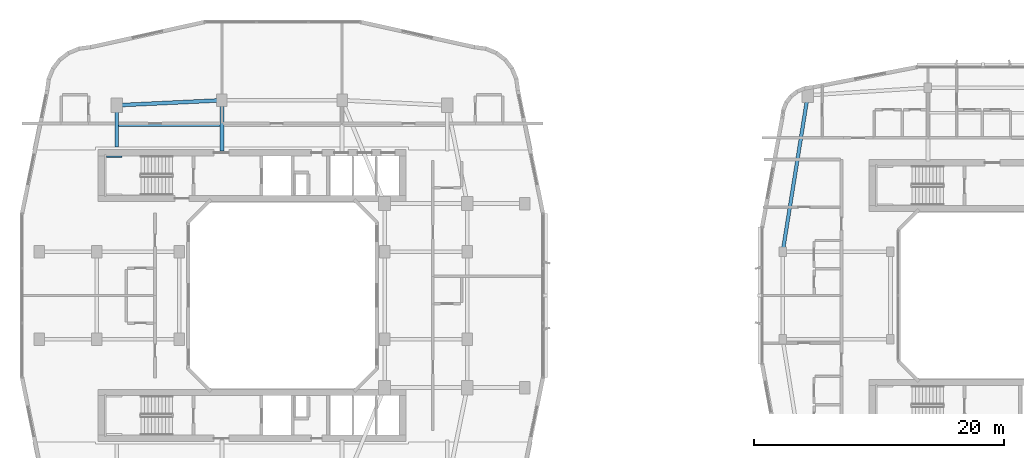
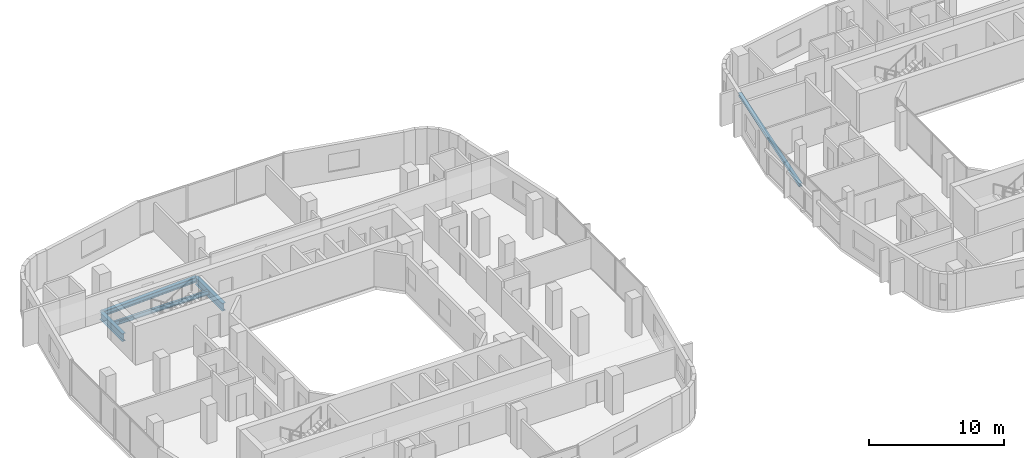
# One storey, part 6 of 25: 6 beams.
"""IFC4 building model written with IfcOpenShell, lengths in metres."""

from ifc_helpers import new_model, si_unit, derived_unit, direction, frame, origin, origin_2d, place, context, subcontext, project, spatial, i_section, extrude, material, material_profile, profile_set, type_object, element, save


model = new_model("IFC4")

# Units and contexts
model_context = context("Model", 3, precision=1e-05, world=origin(), true_north=direction((0.0, 1.0)))
body_context = subcontext(model_context, "Body", "Model", "MODEL_VIEW")
ifc_project = project(units=[si_unit("LENGTHUNIT", "METRE"), si_unit("AREAUNIT", "SQUARE_METRE"), si_unit("VOLUMEUNIT", "CUBIC_METRE"), si_unit("PLANEANGLEUNIT", "RADIAN"), si_unit("MASSUNIT", "GRAM", prefix="KILO"), derived_unit("THERMALTRANSMITTANCEUNIT", [(si_unit("POWERUNIT", "WATT"), 1), (si_unit("LENGTHUNIT", "METRE"), -2), (si_unit("THERMODYNAMICTEMPERATUREUNIT", "KELVIN"), -1)])], contexts=[model_context])

# Site, building, storey
site_placement = place(None, origin())
site = spatial("IfcSite", under=ifc_project, at=site_placement, CompositionType="ELEMENT")
building_placement = place(site_placement, origin())
building = spatial("IfcBuilding", under=site, at=building_placement, Name="Kivonza Crest Hotel", CompositionType="ELEMENT")
storey_placement = place(building_placement, frame((0.0, 0.0, 83.5)))
storey = spatial("IfcBuildingStorey", under=building, at=storey_placement, Name="L22", CompositionType="ELEMENT", Elevation=83.5)

# Beams
ifc_material = material(Name="Steel S355", Category="steel")
ifc_material_profile_1 = material_profile(ifc_material, i_section(OverallWidth=0.280029296875, OverallDepth=0.280029296875, WebThickness=0.010498046875, FlangeThickness=0.01806640625, FilletRadius=0.02392578125, at=origin_2d()), Name="HEB 280")
ifc_profile_set_1 = profile_set([ifc_material_profile_1], Name="Steel S355")
beam_type_1 = type_object("IfcBeamType", Name="BM-HEB280", PredefinedType="SPANDREL", material=ifc_profile_set_1)
beam_1_placement = place(storey_placement, frame((63.0, 41.0, -0.389892578125), z_axis=(-0.157990501107, -0.987440631917, 0.0), x_axis=(0.987440631917, -0.157990501107, 0.0)))
element("IfcBeam", 1, at=beam_1_placement, inside=storey, type_object=beam_type_1, Name="Companion Tower T2 L22 perimeter spandrel NW-W2", PredefinedType="SPANDREL", context=body_context, shape_type="SweptSolid", body=[
    extrude(i_section(OverallWidth=0.280029296875, OverallDepth=0.280029296875, WebThickness=0.010498046875, FlangeThickness=0.01806640625, FilletRadius=0.02392578125, at=origin_2d()), origin(), (0.0, 0.0, 1.0), 12.658935546875),
])
ifc_material_profile_2 = material_profile(ifc_material, i_section(OverallWidth=0.300048828125, OverallDepth=0.449951171875, WebThickness=0.013916015625, FlangeThickness=0.02587890625, FilletRadius=0.027099609375, at=origin_2d()), Name="HEB 450")
ifc_profile_set_2 = profile_set([ifc_material_profile_2], Name="Steel S355")
beam_type_2 = type_object("IfcBeamType", Name="BM-HEB450", PredefinedType="SPANDREL", material=ifc_profile_set_2)
beam_2_placement = place(storey_placement, frame((16.199951171875, 40.60009765625, -0.5048828125), z_axis=(-0.998867283688, -0.047583080799, 0.0), x_axis=(0.047583080799, -0.998867283688, 0.0)))
element("IfcBeam", 2, at=beam_2_placement, inside=storey, type_object=beam_type_2, Name="Tower T1 L22 perimeter spandrel N1-NW", PredefinedType="SPANDREL", context=body_context, shape_type="SweptSolid", body=[
    extrude(i_section(OverallWidth=0.300048828125, OverallDepth=0.449951171875, WebThickness=0.013916015625, FlangeThickness=0.02587890625, FilletRadius=0.027099609375, at=origin_2d()), origin(), (0.0, 0.0, 1.0), 8.409423828125),
])
ifc_material_profile_3 = material_profile(ifc_material, i_section(OverallWidth=0.300048828125, OverallDepth=0.699951171875, WebThickness=0.01708984375, FlangeThickness=0.031982421875, FilletRadius=0.027099609375, at=origin_2d()), Name="HEB 700")
ifc_profile_set_3 = profile_set([ifc_material_profile_3], Name="Steel S355")
beam_type_3 = type_object("IfcBeamType", Name="BM-HEB700", PredefinedType="BEAM", material=ifc_profile_set_3)
beam_3_placement = place(storey_placement, frame((7.800048828125, 40.199951171875, -0.6298828125), z_axis=(0.0, -1.0, 0.0), x_axis=(1.0, 0.0, 0.0)))
element("IfcBeam", 3, at=beam_3_placement, inside=storey, type_object=beam_type_3, Name="Tower T1 L22 radial core girder RNW", PredefinedType="BEAM", context=body_context, shape_type="SweptSolid", body=[
    extrude(i_section(OverallWidth=0.300048828125, OverallDepth=0.699951171875, WebThickness=0.01708984375, FlangeThickness=0.031982421875, FilletRadius=0.027099609375, at=origin_2d()), origin(), (0.0, 0.0, 1.0), 3.349853515625),
])
beam_4_placement = place(storey_placement, frame((16.199951171875, 40.60009765625, -0.6298828125), z_axis=(0.0, -1.0, 0.0), x_axis=(1.0, 0.0, 0.0)))
element("IfcBeam", 4, at=beam_4_placement, inside=storey, type_object=beam_type_3, Name="Tower T1 L22 radial core girder RN1", PredefinedType="BEAM", context=body_context, shape_type="SweptSolid", body=[
    extrude(i_section(OverallWidth=0.300048828125, OverallDepth=0.699951171875, WebThickness=0.01708984375, FlangeThickness=0.031982421875, FilletRadius=0.027099609375, at=origin_2d()), origin(), (0.0, 0.0, 1.0), 4.050048828125),
])
ifc_material_profile_4 = material_profile(ifc_material, i_section(OverallWidth=0.179931640625, OverallDepth=0.39990234375, WebThickness=0.008544921875, FlangeThickness=0.013427734375, FilletRadius=0.02099609375, at=origin_2d()), Name="IPE 400")
ifc_profile_set_4 = profile_set([ifc_material_profile_4], Name="Steel S355")
beam_type_4 = type_object("IfcBeamType", Name="BM-IPE400", PredefinedType="JOIST", material=ifc_profile_set_4)
beam_5_placement = place(storey_placement, frame((7.8798828125, 38.60009765625, -0.47998046875), z_axis=(1.0, 0.0, 0.0), x_axis=(0.0, 1.0, 0.0)))
element("IfcBeam", 5, at=beam_5_placement, inside=storey, type_object=beam_type_4, Name="Tower T1 L22 North-West floor joist", PredefinedType="JOIST", context=body_context, shape_type="SweptSolid", body=[
    extrude(i_section(OverallWidth=0.179931640625, OverallDepth=0.39990234375, WebThickness=0.008544921875, FlangeThickness=0.013427734375, FilletRadius=0.02099609375, at=origin_2d()), origin(), (0.0, 0.0, 1.0), 8.240234375),
])
ifc_material_profile_5 = material_profile(ifc_material, i_section(OverallWidth=0.1201171875, OverallDepth=0.239990234375, WebThickness=0.006103515625, FlangeThickness=0.009765625, FilletRadius=0.014892578125, at=origin_2d()), Name="IPE 240")
ifc_profile_set_5 = profile_set([ifc_material_profile_5], Name="Steel S355")
beam_type_5 = type_object("IfcBeamType", Name="BM-LLDG-240", PredefinedType="BEAM", material=ifc_profile_set_5)
beam_6_placement = place(storey_placement, frame((6.989990234375, 36.10009765625, 1.429931640625), z_axis=(1.0, 0.0, 0.0), x_axis=(0.0, 1.0, 0.0)))
element("IfcBeam", 6, at=beam_6_placement, inside=storey, type_object=beam_type_5, Name="Stair ST-T1-N L22 North landing corbel", PredefinedType="BEAM", context=body_context, shape_type="SweptSolid", body=[
    extrude(i_section(OverallWidth=0.1201171875, OverallDepth=0.239990234375, WebThickness=0.006103515625, FlangeThickness=0.009765625, FilletRadius=0.014892578125, at=origin_2d()), origin(), (0.0, 0.0, 1.0), 1.2099609375),
])

save(model, "model.ifc")
